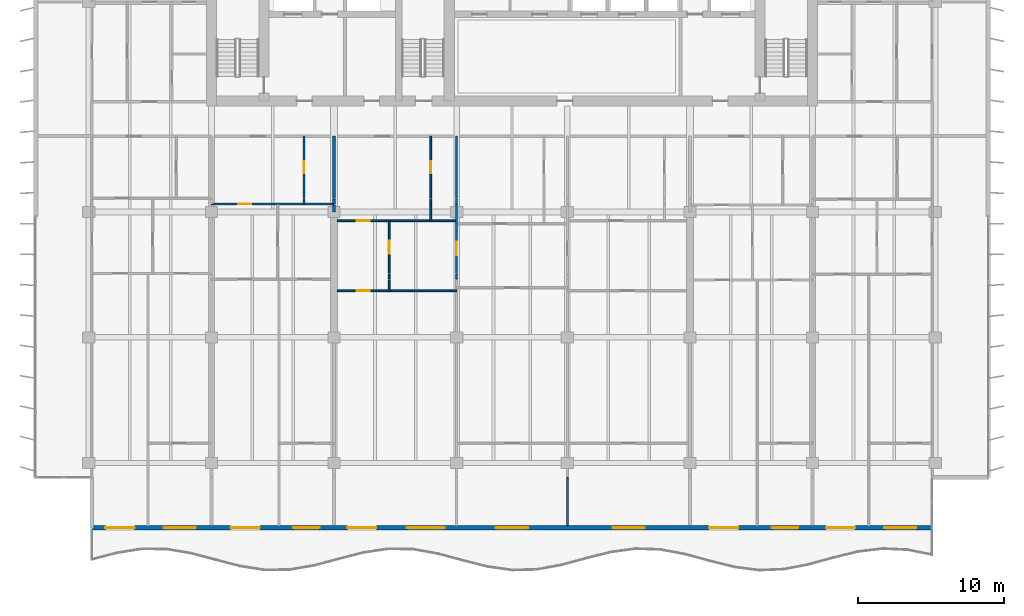
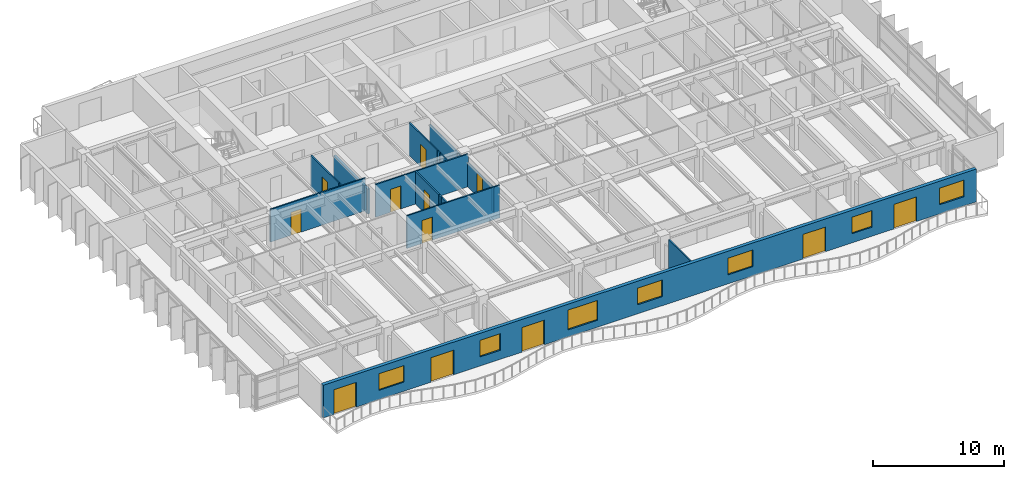
# One storey, part 9 of 18: 20 walls, 12 doors, 7 windows, 19 openings.
"""IFC4 building model written with IfcOpenShell, lengths in metres."""

from ifc_helpers import new_model, si_unit, direction, frame, frame_2d, origin, place, context, subcontext, project, spatial, rectangle, extrude, material, layer, layer_set, type_object, element, fill, save


model = new_model("IFC4")

# Units and contexts
model_context = context("Model", 3, precision=1e-05, world=origin(), true_north=direction((0.0, 1.0)))
body_context = subcontext(model_context, "Body", "Model", "MODEL_VIEW")
ifc_project = project(units=[si_unit("LENGTHUNIT", "METRE"), si_unit("AREAUNIT", "SQUARE_METRE"), si_unit("VOLUMEUNIT", "CUBIC_METRE"), si_unit("PLANEANGLEUNIT", "RADIAN"), si_unit("MASSUNIT", "GRAM", prefix="KILO")], contexts=[model_context])

# Site, building, storey
site_placement = place(None, origin())
site = spatial("IfcSite", under=ifc_project, at=site_placement, CompositionType="ELEMENT")
building_placement = place(site_placement, origin())
building = spatial("IfcBuilding", under=site, at=building_placement, Name="Caelmar Bay Residences", CompositionType="ELEMENT")
storey_placement = place(building_placement, frame((0.0, 0.0, 173.699951171875)))
storey = spatial("IfcBuildingStorey", under=building, at=storey_placement, Name="L48", CompositionType="ELEMENT", Elevation=173.699951171875)

# Wall, openings, doors, windows
ifc_material_1 = material(Name="Precast concrete f'c 40 MPa (6,000 psi)", Category="concrete")
ifc_layer_1 = layer(ifc_material_1, 0.300048828125)
ifc_layer_set_1 = layer_set([ifc_layer_1], Name="Precast concrete f'c 40 MPa (6,000 psi)")
wall_type_1 = type_object("IfcWallType", Name="W-EXT-300", PredefinedType="STANDARD", material=ifc_layer_set_1)
wall_1_placement = place(storey_placement, frame((67.699951171875, 7.75, 0.0), z_axis=(0.0, 0.0, 1.0), x_axis=(-1.0, 0.0, 0.0)))
wall_1 = element("IfcWall", 1, at=wall_1_placement, inside=storey, type_object=wall_type_1, Name="L48 South Bayfront Exterior Wall", PredefinedType="STANDARD", context=body_context, shape_type="SweptSolid", body=[
    extrude(rectangle(XDim=57.599853515625, YDim=0.300048828125, at=frame_2d((28.7998046875, 0.0))), origin(), (0.0, 0.0, 1.0), 3.050048828125),
])
opening_1_placement = place(wall_1_placement, frame((54.673095703125, 0.0, 0.0)))
opening_1 = element("IfcOpeningElement", 2, at=opening_1_placement, cuts=wall_1, Name="Opening L48-BD01", PredefinedType="OPENING", context=body_context, shape_type="SweptSolid", body=[
    extrude(rectangle(XDim=2.0, YDim=2.300048828125, at=frame_2d((1.0, 1.14990234375))), frame((0.0, 0.159912109375, 0.0), z_axis=(0.0, -1.0, 0.0), x_axis=(1.0, 0.0, 0.0)), (0.0, 0.0, 1.0), 0.320068359375),
])
opening_2_placement = place(wall_1_placement, frame((50.472900390625, 0.0, 0.85009765625)))
opening_2 = element("IfcOpeningElement", 3, at=opening_2_placement, cuts=wall_1, Name="Opening WN2", PredefinedType="OPENING", context=body_context, shape_type="SweptSolid", body=[
    extrude(rectangle(XDim=2.199951171875, YDim=1.550048828125, at=frame_2d((1.10009765625, 0.77490234375))), frame((0.0, 0.159912109375, 0.0), z_axis=(0.0, -1.0, 0.0), x_axis=(1.0, 0.0, 0.0)), (0.0, 0.0, 1.0), 0.320068359375),
])
opening_3_placement = place(wall_1_placement, frame((46.090087890625, 0.0, 0.0)))
opening_3 = element("IfcOpeningElement", 4, at=opening_3_placement, cuts=wall_1, Name="Opening L48-BD02", PredefinedType="OPENING", context=body_context, shape_type="SweptSolid", body=[
    extrude(rectangle(XDim=2.0, YDim=2.300048828125, at=frame_2d((1.0, 1.14990234375))), frame((0.0, 0.159912109375, 0.0), z_axis=(0.0, -1.0, 0.0), x_axis=(1.0, 0.0, 0.0)), (0.0, 0.0, 1.0), 0.320068359375),
])
opening_4_placement = place(wall_1_placement, frame((41.989990234375, 0.0, 0.85009765625)))
opening_4 = element("IfcOpeningElement", 5, at=opening_4_placement, cuts=wall_1, Name="Opening WN1", PredefinedType="OPENING", context=body_context, shape_type="SweptSolid", body=[
    extrude(rectangle(XDim=1.800048828125, YDim=1.550048828125, at=frame_2d((0.89990234375, 0.77490234375))), frame((0.0, 0.159912109375, 0.0), z_axis=(0.0, -1.0, 0.0), x_axis=(1.0, 0.0, 0.0)), (0.0, 0.0, 1.0), 0.320068359375),
])
opening_5_placement = place(wall_1_placement, frame((38.090087890625, 0.0, 0.0)))
opening_5 = element("IfcOpeningElement", 6, at=opening_5_placement, cuts=wall_1, Name="Opening L48-BD03", PredefinedType="OPENING", context=body_context, shape_type="SweptSolid", body=[
    extrude(rectangle(XDim=2.0, YDim=2.300048828125, at=frame_2d((1.0, 1.14990234375))), frame((0.0, 0.159912109375, 0.0), z_axis=(0.0, -1.0, 0.0), x_axis=(1.0, 0.0, 0.0)), (0.0, 0.0, 1.0), 0.320068359375),
])
opening_6_placement = place(wall_1_placement, frame((33.409912109375, 0.0, 0.64990234375)))
opening_6 = element("IfcOpeningElement", 7, at=opening_6_placement, cuts=wall_1, Name="Opening WN3", PredefinedType="OPENING", context=body_context, shape_type="SweptSolid", body=[
    extrude(rectangle(XDim=2.60009765625, YDim=1.85009765625, at=frame_2d((1.300048828125, 0.925048828125))), frame((0.0, 0.159912109375, 0.0), z_axis=(0.0, -1.0, 0.0), x_axis=(1.0, 0.0, 0.0)), (0.0, 0.0, 1.0), 0.320068359375),
])
opening_7_placement = place(wall_1_placement, frame((27.699951171875, 0.0, 0.85009765625)))
opening_7 = element("IfcOpeningElement", 8, at=opening_7_placement, cuts=wall_1, Name="Opening WN2", PredefinedType="OPENING", context=body_context, shape_type="SweptSolid", body=[
    extrude(rectangle(XDim=2.199951171875, YDim=1.550048828125, at=frame_2d((1.10009765625, 0.77490234375))), frame((0.0, 0.159912109375, 0.0), z_axis=(0.0, -1.0, 0.0), x_axis=(1.0, 0.0, 0.0)), (0.0, 0.0, 1.0), 0.320068359375),
])
opening_8_placement = place(wall_1_placement, frame((19.699951171875, 0.0, 0.85009765625)))
opening_8 = element("IfcOpeningElement", 9, at=opening_8_placement, cuts=wall_1, Name="Opening WN2", PredefinedType="OPENING", context=body_context, shape_type="SweptSolid", body=[
    extrude(rectangle(XDim=2.199951171875, YDim=1.550048828125, at=frame_2d((1.10009765625, 0.77490234375))), frame((0.0, 0.159912109375, 0.0), z_axis=(0.0, -1.0, 0.0), x_axis=(1.0, 0.0, 0.0)), (0.0, 0.0, 1.0), 0.320068359375),
])
opening_9_placement = place(wall_1_placement, frame((13.2900390625, 0.0, 0.0)))
opening_9 = element("IfcOpeningElement", 10, at=opening_9_placement, cuts=wall_1, Name="Opening L48-BD04", PredefinedType="OPENING", context=body_context, shape_type="SweptSolid", body=[
    extrude(rectangle(XDim=2.0, YDim=2.300048828125, at=frame_2d((1.0, 1.14990234375))), frame((0.0, 0.159912109375, 0.0), z_axis=(0.0, -1.0, 0.0), x_axis=(1.0, 0.0, 0.0)), (0.0, 0.0, 1.0), 0.320068359375),
])
opening_10_placement = place(wall_1_placement, frame((9.18994140625, 0.0, 0.85009765625)))
opening_10 = element("IfcOpeningElement", 11, at=opening_10_placement, cuts=wall_1, Name="Opening WN1", PredefinedType="OPENING", context=body_context, shape_type="SweptSolid", body=[
    extrude(rectangle(XDim=1.800048828125, YDim=1.550048828125, at=frame_2d((0.89990234375, 0.77490234375))), frame((0.0, 0.159912109375, 0.0), z_axis=(0.0, -1.0, 0.0), x_axis=(1.0, 0.0, 0.0)), (0.0, 0.0, 1.0), 0.320068359375),
])
opening_11_placement = place(wall_1_placement, frame((5.27294921875, 0.0, 0.0)))
opening_11 = element("IfcOpeningElement", 12, at=opening_11_placement, cuts=wall_1, Name="Opening L48-BD05", PredefinedType="OPENING", context=body_context, shape_type="SweptSolid", body=[
    extrude(rectangle(XDim=2.0, YDim=2.300048828125, at=frame_2d((1.0, 1.14990234375))), frame((0.0, 0.159912109375, 0.0), z_axis=(0.0, -1.0, 0.0), x_axis=(1.0, 0.0, 0.0)), (0.0, 0.0, 1.0), 0.320068359375),
])
opening_12_placement = place(wall_1_placement, frame((1.072998046875, 0.0, 0.85009765625)))
opening_12 = element("IfcOpeningElement", 13, at=opening_12_placement, cuts=wall_1, Name="Opening WN2", PredefinedType="OPENING", context=body_context, shape_type="SweptSolid", body=[
    extrude(rectangle(XDim=2.199951171875, YDim=1.550048828125, at=frame_2d((1.10009765625, 0.77490234375))), frame((0.0, 0.159912109375, 0.0), z_axis=(0.0, -1.0, 0.0), x_axis=(1.0, 0.0, 0.0)), (0.0, 0.0, 1.0), 0.320068359375),
])
ifc_material_2 = material(Name="Anodised bronze thermally broken sliding glass door", Category="glass")
ifc_layer_2 = layer(ifc_material_2, 0.050048828125)
ifc_layer_set_2 = layer_set([ifc_layer_2], Name="Anodised bronze thermally broken sliding glass door")
door_type_1 = type_object("IfcDoorType", Name="D-BAL-2000", OperationType="DOUBLE_DOOR_SLIDING", PredefinedType="DOOR", material=ifc_layer_set_2)
door_1_placement = place(opening_1_placement, origin())
door_1 = element("IfcDoor", 14, at=door_1_placement, inside=storey, type_object=door_type_1, Name="L48 Residence 01 Living Room Balcony Door", OperationType="DOUBLE_DOOR_SLIDING", OverallHeight=2.300048828125, OverallWidth=2.0, PredefinedType="DOOR", context=body_context, shape_type="SweptSolid", body=[
    extrude(rectangle(XDim=2.0, YDim=2.300048828125, at=frame_2d((1.0, 1.14990234375))), frame((0.0, 0.02490234375, 0.0), z_axis=(0.0, -1.0, 0.0), x_axis=(1.0, 0.0, 0.0)), (0.0, 0.0, 1.0), 0.050048828125),
])
fill(opening_1, door_1)
door_2_placement = place(opening_3_placement, origin())
door_2 = element("IfcDoor", 15, at=door_2_placement, inside=storey, type_object=door_type_1, Name="L48 Residence 02 Penthouse Living Salon Balcony Door", OperationType="DOUBLE_DOOR_SLIDING", OverallHeight=2.300048828125, OverallWidth=2.0, PredefinedType="DOOR", context=body_context, shape_type="SweptSolid", body=[
    extrude(rectangle(XDim=2.0, YDim=2.300048828125, at=frame_2d((1.0, 1.14990234375))), frame((0.0, 0.02490234375, 0.0), z_axis=(0.0, -1.0, 0.0), x_axis=(1.0, 0.0, 0.0)), (0.0, 0.0, 1.0), 0.050048828125),
])
fill(opening_3, door_2)
door_3_placement = place(opening_5_placement, origin())
door_3 = element("IfcDoor", 16, at=door_3_placement, inside=storey, type_object=door_type_1, Name="L48 Residence 03 Penthouse Living Salon Balcony Door", OperationType="DOUBLE_DOOR_SLIDING", OverallHeight=2.300048828125, OverallWidth=2.0, PredefinedType="DOOR", context=body_context, shape_type="SweptSolid", body=[
    extrude(rectangle(XDim=2.0, YDim=2.300048828125, at=frame_2d((1.0, 1.14990234375))), frame((0.0, 0.02490234375, 0.0), z_axis=(0.0, -1.0, 0.0), x_axis=(1.0, 0.0, 0.0)), (0.0, 0.0, 1.0), 0.050048828125),
])
fill(opening_5, door_3)
door_4_placement = place(opening_9_placement, origin())
door_4 = element("IfcDoor", 17, at=door_4_placement, inside=storey, type_object=door_type_1, Name="L48 Residence 04 Penthouse Living Salon Balcony Door", OperationType="DOUBLE_DOOR_SLIDING", OverallHeight=2.300048828125, OverallWidth=2.0, PredefinedType="DOOR", context=body_context, shape_type="SweptSolid", body=[
    extrude(rectangle(XDim=2.0, YDim=2.300048828125, at=frame_2d((1.0, 1.14990234375))), frame((0.0, 0.02490234375, 0.0), z_axis=(0.0, -1.0, 0.0), x_axis=(1.0, 0.0, 0.0)), (0.0, 0.0, 1.0), 0.050048828125),
])
fill(opening_9, door_4)
door_5_placement = place(opening_11_placement, origin())
door_5 = element("IfcDoor", 18, at=door_5_placement, inside=storey, type_object=door_type_1, Name="L48 Residence 05 Living Room Balcony Door", OperationType="DOUBLE_DOOR_SLIDING", OverallHeight=2.300048828125, OverallWidth=2.0, PredefinedType="DOOR", context=body_context, shape_type="SweptSolid", body=[
    extrude(rectangle(XDim=2.0, YDim=2.300048828125, at=frame_2d((1.0, 1.14990234375))), frame((0.0, 0.02490234375, 0.0), z_axis=(0.0, -1.0, 0.0), x_axis=(1.0, 0.0, 0.0)), (0.0, 0.0, 1.0), 0.050048828125),
])
fill(opening_11, door_5)
ifc_material_3 = material(Name="Bronze aluminium frame with laminated low-E glass", Category="aluminium")
ifc_layer_3 = layer(ifc_material_3, 0.06005859375)
ifc_layer_set_3 = layer_set([ifc_layer_3], Name="Bronze aluminium frame with laminated low-E glass")
window_type_1 = type_object("IfcWindowType", Name="WIN-BR-1800", PartitioningType="SINGLE_PANEL", PredefinedType="WINDOW", material=ifc_layer_set_3)
window_1_placement = place(opening_4_placement, origin())
window_1 = element("IfcWindow", 19, at=window_1_placement, inside=storey, type_object=window_type_1, Name="L48 Residence 02 Primary Bedroom Window", OverallHeight=1.550048828125, OverallWidth=1.800048828125, PartitioningType="SINGLE_PANEL", PredefinedType="WINDOW", context=body_context, shape_type="SweptSolid", body=[
    extrude(rectangle(XDim=1.800048828125, YDim=1.550048828125, at=frame_2d((0.89990234375, 0.77490234375))), frame((0.0, 0.030029296875, 0.0), z_axis=(0.0, -1.0, 0.0), x_axis=(1.0, 0.0, 0.0)), (0.0, 0.0, 1.0), 0.06005859375),
])
fill(opening_4, window_1)
window_2_placement = place(opening_10_placement, origin())
window_2 = element("IfcWindow", 20, at=window_2_placement, inside=storey, type_object=window_type_1, Name="L48 Residence 04 Primary Bedroom Window", OverallHeight=1.550048828125, OverallWidth=1.800048828125, PartitioningType="SINGLE_PANEL", PredefinedType="WINDOW", context=body_context, shape_type="SweptSolid", body=[
    extrude(rectangle(XDim=1.800048828125, YDim=1.550048828125, at=frame_2d((0.89990234375, 0.77490234375))), frame((0.0, 0.030029296875, 0.0), z_axis=(0.0, -1.0, 0.0), x_axis=(1.0, 0.0, 0.0)), (0.0, 0.0, 1.0), 0.06005859375),
])
fill(opening_10, window_2)
ifc_layer_4 = layer(ifc_material_3, 0.06005859375)
ifc_layer_set_4 = layer_set([ifc_layer_4], Name="Bronze aluminium frame with laminated low-E glass")
window_type_2 = type_object("IfcWindowType", Name="WIN-BR-2200", PartitioningType="SINGLE_PANEL", PredefinedType="WINDOW", material=ifc_layer_set_4)
window_3_placement = place(opening_2_placement, origin())
window_3 = element("IfcWindow", 21, at=window_3_placement, inside=storey, type_object=window_type_2, Name="L48 Residence 01 Primary Bedroom Window", OverallHeight=1.550048828125, OverallWidth=2.199951171875, PartitioningType="SINGLE_PANEL", PredefinedType="WINDOW", context=body_context, shape_type="SweptSolid", body=[
    extrude(rectangle(XDim=2.199951171875, YDim=1.550048828125, at=frame_2d((1.10009765625, 0.77490234375))), frame((0.0, 0.030029296875, 0.0), z_axis=(0.0, -1.0, 0.0), x_axis=(1.0, 0.0, 0.0)), (0.0, 0.0, 1.0), 0.06005859375),
])
fill(opening_2, window_3)
window_4_placement = place(opening_7_placement, origin())
window_4 = element("IfcWindow", 22, at=window_4_placement, inside=storey, type_object=window_type_2, Name="L48 Residence 03 Primary Bedroom 1 Window", OverallHeight=1.550048828125, OverallWidth=2.199951171875, PartitioningType="SINGLE_PANEL", PredefinedType="WINDOW", context=body_context, shape_type="SweptSolid", body=[
    extrude(rectangle(XDim=2.199951171875, YDim=1.550048828125, at=frame_2d((1.10009765625, 0.77490234375))), frame((0.0, 0.030029296875, 0.0), z_axis=(0.0, -1.0, 0.0), x_axis=(1.0, 0.0, 0.0)), (0.0, 0.0, 1.0), 0.06005859375),
])
fill(opening_7, window_4)
window_5_placement = place(opening_8_placement, origin())
window_5 = element("IfcWindow", 23, at=window_5_placement, inside=storey, type_object=window_type_2, Name="L48 Residence 03 Primary Bedroom 2 Window", OverallHeight=1.550048828125, OverallWidth=2.199951171875, PartitioningType="SINGLE_PANEL", PredefinedType="WINDOW", context=body_context, shape_type="SweptSolid", body=[
    extrude(rectangle(XDim=2.199951171875, YDim=1.550048828125, at=frame_2d((1.10009765625, 0.77490234375))), frame((0.0, 0.030029296875, 0.0), z_axis=(0.0, -1.0, 0.0), x_axis=(1.0, 0.0, 0.0)), (0.0, 0.0, 1.0), 0.06005859375),
])
fill(opening_8, window_5)
window_6_placement = place(opening_12_placement, origin())
window_6 = element("IfcWindow", 24, at=window_6_placement, inside=storey, type_object=window_type_2, Name="L48 Residence 05 Primary Bedroom Window", OverallHeight=1.550048828125, OverallWidth=2.199951171875, PartitioningType="SINGLE_PANEL", PredefinedType="WINDOW", context=body_context, shape_type="SweptSolid", body=[
    extrude(rectangle(XDim=2.199951171875, YDim=1.550048828125, at=frame_2d((1.10009765625, 0.77490234375))), frame((0.0, 0.030029296875, 0.0), z_axis=(0.0, -1.0, 0.0), x_axis=(1.0, 0.0, 0.0)), (0.0, 0.0, 1.0), 0.06005859375),
])
fill(opening_12, window_6)
ifc_layer_5 = layer(ifc_material_3, 0.06005859375)
ifc_layer_set_5 = layer_set([ifc_layer_5], Name="Bronze aluminium frame with laminated low-E glass")
window_type_3 = type_object("IfcWindowType", Name="WIN-LIV-2600", PartitioningType="SINGLE_PANEL", PredefinedType="WINDOW", material=ifc_layer_set_5)
window_7_placement = place(opening_6_placement, origin())
window_7 = element("IfcWindow", 25, at=window_7_placement, inside=storey, type_object=window_type_3, Name="L48 Residence 03 Penthouse Living Salon Panoramic Window", OverallHeight=1.85009765625, OverallWidth=2.60009765625, PartitioningType="SINGLE_PANEL", PredefinedType="WINDOW", context=body_context, shape_type="SweptSolid", body=[
    extrude(rectangle(XDim=2.60009765625, YDim=1.85009765625, at=frame_2d((1.300048828125, 0.925048828125))), frame((0.0, 0.030029296875, 0.0), z_axis=(0.0, -1.0, 0.0), x_axis=(1.0, 0.0, 0.0)), (0.0, 0.0, 1.0), 0.06005859375),
])
fill(opening_6, window_7)

# Wall
ifc_material_4 = material(Name="Acoustic metal-stud gypsum partition 120 mm")
ifc_layer_6 = layer(ifc_material_4, 0.1201171875)
ifc_layer_set_6 = layer_set([ifc_layer_6], Name="Acoustic metal-stud gypsum partition 120 mm")
wall_type_2 = type_object("IfcWallType", Name="W-PRT-120", PredefinedType="PARTITIONING", material=ifc_layer_set_6)
wall_2_placement = place(storey_placement, frame((24.639892578125, 29.93994140625, 0.0), z_axis=(0.0, 0.0, 1.0), x_axis=(0.0, 1.0, 0.0)))
element("IfcWall", 26, at=wall_2_placement, inside=storey, type_object=wall_type_2, Name="L48 Partition Wall V028", PredefinedType="PARTITIONING", context=body_context, shape_type="SweptSolid", body=[
    extrude(rectangle(XDim=0.340087890625, YDim=0.1201171875, at=frame_2d((0.169921875, 0.0))), origin(), (0.0, 0.0, 1.0), 3.050048828125),
])

# Wall, opening, door
wall_3_placement = place(storey_placement, frame((24.639892578125, 30.340087890625, 0.0), z_axis=(0.0, 0.0, 1.0), x_axis=(0.0, 1.0, 0.0)))
wall_3 = element("IfcWall", 27, at=wall_3_placement, inside=storey, type_object=wall_type_2, Name="L48 Partition Wall V029", PredefinedType="PARTITIONING", context=body_context, shape_type="SweptSolid", body=[
    extrude(rectangle(XDim=4.260009765625, YDim=0.1201171875, at=frame_2d((2.1298828125, 0.0))), origin(), (0.0, 0.0, 1.0), 3.050048828125),
])
opening_13_placement = place(wall_3_placement, frame((1.705078125, 0.0, 0.0)))
opening_13 = element("IfcOpeningElement", 28, at=opening_13_placement, cuts=wall_3, Name="Opening D-L48-128", PredefinedType="OPENING", context=body_context, shape_type="SweptSolid", body=[
    extrude(rectangle(XDim=0.85009765625, YDim=2.10009765625, at=frame_2d((0.425048828125, 1.050048828125))), frame((0.0, 0.070068359375, 0.0), z_axis=(0.0, -1.0, 0.0), x_axis=(1.0, 0.0, 0.0)), (0.0, 0.0, 1.0), 0.14013671875),
])
ifc_material_5 = material(Name="Solid walnut timber interior door leaf and frame", Category="wood")
ifc_layer_7 = layer(ifc_material_5, 0.050048828125)
ifc_layer_set_7 = layer_set([ifc_layer_7], Name="Solid walnut timber interior door leaf and frame")
door_type_2 = type_object("IfcDoorType", Name="D-BATH-850", OperationType="NOTDEFINED", PredefinedType="DOOR", material=ifc_layer_set_7)
door_6_placement = place(opening_13_placement, origin())
door_6 = element("IfcDoor", 29, at=door_6_placement, inside=storey, type_object=door_type_2, Name="L48 Residence 02 Bathroom Door", OperationType="SINGLE_SWING_LEFT", OverallHeight=2.10009765625, OverallWidth=0.85009765625, PredefinedType="DOOR", context=body_context, shape_type="SweptSolid", body=[
    extrude(rectangle(XDim=0.85009765625, YDim=2.10009765625, at=frame_2d((0.425048828125, 1.050048828125))), frame((0.0, 0.02490234375, 0.0), z_axis=(0.0, -1.0, 0.0), x_axis=(1.0, 0.0, 0.0)), (0.0, 0.0, 1.0), 0.050048828125),
])
fill(opening_13, door_6)

# Walls
wall_4_placement = place(storey_placement, frame((30.47998046875, 24.0, 0.0), z_axis=(0.0, 0.0, 1.0), x_axis=(0.0, 1.0, 0.0)))
element("IfcWall", 30, at=wall_4_placement, inside=storey, type_object=wall_type_2, Name="L48 Partition Wall V038", PredefinedType="PARTITIONING", context=body_context, shape_type="SweptSolid", body=[
    extrude(rectangle(XDim=0.72998046875, YDim=0.1201171875, at=frame_2d((0.364990234375, 0.0))), origin(), (0.0, 0.0, 1.0), 3.050048828125),
])
wall_5_placement = place(storey_placement, frame((30.47998046875, 24.7900390625, 0.0), z_axis=(0.0, 0.0, 1.0), x_axis=(0.0, 1.0, 0.0)))
element("IfcWall", 31, at=wall_5_placement, inside=storey, type_object=wall_type_2, Name="L48 Partition Wall V039", PredefinedType="PARTITIONING", context=body_context, shape_type="SweptSolid", body=[
    extrude(rectangle(XDim=0.33984375, YDim=0.1201171875, at=frame_2d((0.169921875, 0.0))), origin(), (0.0, 0.0, 1.0), 3.050048828125),
])

# Wall, opening, door
wall_6_placement = place(storey_placement, frame((30.47998046875, 25.18994140625, 0.0), z_axis=(0.0, 0.0, 1.0), x_axis=(0.0, 1.0, 0.0)))
wall_6 = element("IfcWall", 32, at=wall_6_placement, inside=storey, type_object=wall_type_2, Name="L48 Partition Wall V040", PredefinedType="PARTITIONING", context=body_context, shape_type="SweptSolid", body=[
    extrude(rectangle(XDim=3.610107421875, YDim=0.1201171875, at=frame_2d((1.80517578125, 0.0))), origin(), (0.0, 0.0, 1.0), 3.050048828125),
])
opening_14_placement = place(wall_6_placement, frame((1.35498046875, 0.0, 0.0)))
opening_14 = element("IfcOpeningElement", 33, at=opening_14_placement, cuts=wall_6, Name="Opening D-L48-137", PredefinedType="OPENING", context=body_context, shape_type="SweptSolid", body=[
    extrude(rectangle(XDim=0.89990234375, YDim=2.14990234375, at=frame_2d((0.449951171875, 1.074951171875))), frame((0.0, 0.070068359375, 0.0), z_axis=(0.0, -1.0, 0.0), x_axis=(1.0, 0.0, 0.0)), (0.0, 0.0, 1.0), 0.14013671875),
])
ifc_layer_8 = layer(ifc_material_5, 0.050048828125)
ifc_layer_set_8 = layer_set([ifc_layer_8], Name="Solid walnut timber interior door leaf and frame")
door_type_3 = type_object("IfcDoorType", Name="D-ROOM-900", OperationType="NOTDEFINED", PredefinedType="DOOR", material=ifc_layer_set_8)
door_7_placement = place(opening_14_placement, origin())
door_7 = element("IfcDoor", 34, at=door_7_placement, inside=storey, type_object=door_type_3, Name="L48 Residence 03 Kitchen Door", OperationType="SINGLE_SWING_RIGHT", OverallHeight=2.14990234375, OverallWidth=0.89990234375, PredefinedType="DOOR", context=body_context, shape_type="SweptSolid", body=[
    extrude(rectangle(XDim=0.89990234375, YDim=2.14990234375, at=frame_2d((0.449951171875, 1.074951171875))), frame((0.0, 0.02490234375, 0.0), z_axis=(0.0, -1.0, 0.0), x_axis=(1.0, 0.0, 0.0)), (0.0, 0.0, 1.0), 0.050048828125),
])
fill(opening_14, door_7)

# Walls
wall_7_placement = place(storey_placement, frame((33.323974609375, 28.800048828125, 0.0), z_axis=(0.0, 0.0, 1.0), x_axis=(0.0, 1.0, 0.0)))
element("IfcWall", 35, at=wall_7_placement, inside=storey, type_object=wall_type_2, Name="L48 Partition Wall V041", PredefinedType="PARTITIONING", context=body_context, shape_type="SweptSolid", body=[
    extrude(rectangle(XDim=1.079833984375, YDim=0.1201171875, at=frame_2d((0.5400390625, 0.0))), origin(), (0.0, 0.0, 1.0), 3.050048828125),
])
wall_8_placement = place(storey_placement, frame((33.323974609375, 29.93994140625, 0.0), z_axis=(0.0, 0.0, 1.0), x_axis=(0.0, 1.0, 0.0)))
element("IfcWall", 36, at=wall_8_placement, inside=storey, type_object=wall_type_2, Name="L48 Partition Wall V042", PredefinedType="PARTITIONING", context=body_context, shape_type="SweptSolid", body=[
    extrude(rectangle(XDim=0.340087890625, YDim=0.1201171875, at=frame_2d((0.169921875, 0.0))), origin(), (0.0, 0.0, 1.0), 3.050048828125),
])

# Wall, opening, door
wall_9_placement = place(storey_placement, frame((33.323974609375, 30.340087890625, 0.0), z_axis=(0.0, 0.0, 1.0), x_axis=(0.0, 1.0, 0.0)))
wall_9 = element("IfcWall", 37, at=wall_9_placement, inside=storey, type_object=wall_type_2, Name="L48 Partition Wall V043", PredefinedType="PARTITIONING", context=body_context, shape_type="SweptSolid", body=[
    extrude(rectangle(XDim=4.260009765625, YDim=0.1201171875, at=frame_2d((2.1298828125, 0.0))), origin(), (0.0, 0.0, 1.0), 3.050048828125),
])
opening_15_placement = place(wall_9_placement, frame((1.705078125, 0.0, 0.0)))
opening_15 = element("IfcOpeningElement", 38, at=opening_15_placement, cuts=wall_9, Name="Opening D-L48-135", PredefinedType="OPENING", context=body_context, shape_type="SweptSolid", body=[
    extrude(rectangle(XDim=0.85009765625, YDim=2.10009765625, at=frame_2d((0.425048828125, 1.050048828125))), frame((0.0, 0.070068359375, 0.0), z_axis=(0.0, -1.0, 0.0), x_axis=(1.0, 0.0, 0.0)), (0.0, 0.0, 1.0), 0.14013671875),
])
door_8_placement = place(opening_15_placement, origin())
door_8 = element("IfcDoor", 39, at=door_8_placement, inside=storey, type_object=door_type_2, Name="L48 Residence 03 Guest Bathroom Door", OperationType="SINGLE_SWING_RIGHT", OverallHeight=2.10009765625, OverallWidth=0.85009765625, PredefinedType="DOOR", context=body_context, shape_type="SweptSolid", body=[
    extrude(rectangle(XDim=0.85009765625, YDim=2.10009765625, at=frame_2d((0.425048828125, 1.050048828125))), frame((0.0, 0.02490234375, 0.0), z_axis=(0.0, -1.0, 0.0), x_axis=(1.0, 0.0, 0.0)), (0.0, 0.0, 1.0), 0.050048828125),
])
fill(opening_15, door_8)

# Wall
wall_10_placement = place(storey_placement, frame((35.10009765625, 24.7900390625, 0.0), z_axis=(0.0, 0.0, 1.0), x_axis=(0.0, 1.0, 0.0)))
element("IfcWall", 40, at=wall_10_placement, inside=storey, type_object=wall_type_2, Name="L48 Partition Wall V046", PredefinedType="PARTITIONING", context=body_context, shape_type="SweptSolid", body=[
    extrude(rectangle(XDim=0.33984375, YDim=0.1201171875, at=frame_2d((0.169921875, 0.0))), origin(), (0.0, 0.0, 1.0), 2.262939453125),
])

# Wall, opening, door
wall_11_placement = place(storey_placement, frame((35.10009765625, 25.18994140625, 0.0), z_axis=(0.0, 0.0, 1.0), x_axis=(0.0, 1.0, 0.0)))
wall_11 = element("IfcWall", 41, at=wall_11_placement, inside=storey, type_object=wall_type_2, Name="L48 Partition Wall V047", PredefinedType="PARTITIONING", context=body_context, shape_type="SweptSolid", body=[
    extrude(rectangle(XDim=4.68994140625, YDim=0.1201171875, at=frame_2d((2.344970703125, 0.0))), origin(), (0.0, 0.0, 1.0), 2.262939453125),
])
opening_16_placement = place(wall_11_placement, frame((1.2548828125, 0.0, 0.0)))
opening_16 = element("IfcOpeningElement", 42, at=opening_16_placement, cuts=wall_11, Name="Opening D-L48-139", PredefinedType="OPENING", context=body_context, shape_type="SweptSolid", body=[
    extrude(rectangle(XDim=0.89990234375, YDim=2.14990234375, at=frame_2d((0.449951171875, 1.074951171875))), frame((0.0, 0.070068359375, 0.0), z_axis=(0.0, -1.0, 0.0), x_axis=(1.0, 0.0, 0.0)), (0.0, 0.0, 1.0), 0.14013671875),
])
door_9_placement = place(opening_16_placement, origin())
door_9 = element("IfcDoor", 43, at=door_9_placement, inside=storey, type_object=door_type_3, Name="L48 Residence 03 Formal Dining Room 1 Door", OperationType="SINGLE_SWING_RIGHT", OverallHeight=2.14990234375, OverallWidth=0.89990234375, PredefinedType="DOOR", context=body_context, shape_type="SweptSolid", body=[
    extrude(rectangle(XDim=0.89990234375, YDim=2.14990234375, at=frame_2d((0.449951171875, 1.074951171875))), frame((0.0, 0.02490234375, 0.0), z_axis=(0.0, -1.0, 0.0), x_axis=(1.0, 0.0, 0.0)), (0.0, 0.0, 1.0), 0.050048828125),
])
fill(opening_16, door_9)

# Walls
wall_12_placement = place(storey_placement, frame((35.10009765625, 29.93994140625, 0.0), z_axis=(0.0, 0.0, 1.0), x_axis=(0.0, 1.0, 0.0)))
element("IfcWall", 44, at=wall_12_placement, inside=storey, type_object=wall_type_2, Name="L48 Partition Wall V048", PredefinedType="PARTITIONING", context=body_context, shape_type="SweptSolid", body=[
    extrude(rectangle(XDim=0.340087890625, YDim=0.1201171875, at=frame_2d((0.169921875, 0.0))), origin(), (0.0, 0.0, 1.0), 2.262939453125),
])
wall_13_placement = place(storey_placement, frame((35.10009765625, 30.340087890625, 0.0), z_axis=(0.0, 0.0, 1.0), x_axis=(0.0, 1.0, 0.0)))
element("IfcWall", 45, at=wall_13_placement, inside=storey, type_object=wall_type_2, Name="L48 Partition Wall V049", PredefinedType="PARTITIONING", context=body_context, shape_type="SweptSolid", body=[
    extrude(rectangle(XDim=4.260009765625, YDim=0.1201171875, at=frame_2d((2.1298828125, 0.0))), origin(), (0.0, 0.0, 1.0), 2.262939453125),
])
wall_14_placement = place(storey_placement, frame((42.699951171875, 7.89501953125, 0.0), z_axis=(0.0, 0.0, 1.0), x_axis=(0.0, 1.0, 0.0)))
element("IfcWall", 46, at=wall_14_placement, inside=storey, type_object=wall_type_2, Name="L48 Partition Wall V055", PredefinedType="PARTITIONING", context=body_context, shape_type="SweptSolid", body=[
    extrude(rectangle(XDim=3.304931640625, YDim=0.1201171875, at=frame_2d((1.65234375, 0.0))), origin(), (0.0, 0.0, 1.0), 3.050048828125),
])

# Wall, opening, door
wall_15_placement = place(storey_placement, frame((26.919921875, 24.0, 0.0), z_axis=(0.0, 0.0, 1.0), x_axis=(1.0, 0.0, 0.0)))
wall_15 = element("IfcWall", 47, at=wall_15_placement, inside=storey, type_object=wall_type_2, Name="L48 Partition Wall H110", PredefinedType="PARTITIONING", context=body_context, shape_type="SweptSolid", body=[
    extrude(rectangle(XDim=8.18017578125, YDim=0.1201171875, at=frame_2d((4.090087890625, 0.0))), origin(), (0.0, 0.0, 1.0), 3.050048828125),
])
opening_17_placement = place(wall_15_placement, frame((1.330078125, 0.0, 0.0)))
opening_17 = element("IfcOpeningElement", 48, at=opening_17_placement, cuts=wall_15, Name="Opening D-L48-138", PredefinedType="OPENING", context=body_context, shape_type="SweptSolid", body=[
    extrude(rectangle(XDim=0.89990234375, YDim=2.14990234375, at=frame_2d((0.449951171875, 1.074951171875))), frame((0.0, 0.070068359375, 0.0), z_axis=(0.0, -1.0, 0.0), x_axis=(1.0, 0.0, 0.0)), (0.0, 0.0, 1.0), 0.14013671875),
])
door_10_placement = place(opening_17_placement, origin())
door_10 = element("IfcDoor", 49, at=door_10_placement, inside=storey, type_object=door_type_3, Name="L48 Residence 03 Penthouse Living Salon Door", OperationType="SINGLE_SWING_LEFT", OverallHeight=2.14990234375, OverallWidth=0.89990234375, PredefinedType="DOOR", context=body_context, shape_type="SweptSolid", body=[
    extrude(rectangle(XDim=0.89990234375, YDim=2.14990234375, at=frame_2d((0.449951171875, 1.074951171875))), frame((0.0, 0.02490234375, 0.0), z_axis=(0.0, -1.0, 0.0), x_axis=(1.0, 0.0, 0.0)), (0.0, 0.0, 1.0), 0.050048828125),
])
fill(opening_17, door_10)

wall_16_placement = place(storey_placement, frame((26.919921875, 28.800048828125, 0.0), z_axis=(0.0, 0.0, 1.0), x_axis=(1.0, 0.0, 0.0)))
wall_16 = element("IfcWall", 50, at=wall_16_placement, inside=storey, type_object=wall_type_2, Name="L48 Partition Wall H119", PredefinedType="PARTITIONING", context=body_context, shape_type="SweptSolid", body=[
    extrude(rectangle(XDim=8.175048828125, YDim=0.1201171875, at=frame_2d((4.08740234375, 0.0))), origin(), (0.0, 0.0, 1.0), 3.050048828125),
])
opening_18_placement = place(wall_16_placement, frame((1.330078125, 0.0, 0.0)))
opening_18 = element("IfcOpeningElement", 51, at=opening_18_placement, cuts=wall_16, Name="Opening D-L48-136", PredefinedType="OPENING", context=body_context, shape_type="SweptSolid", body=[
    extrude(rectangle(XDim=0.89990234375, YDim=2.14990234375, at=frame_2d((0.449951171875, 1.074951171875))), frame((0.0, 0.070068359375, 0.0), z_axis=(0.0, -1.0, 0.0), x_axis=(1.0, 0.0, 0.0)), (0.0, 0.0, 1.0), 0.14013671875),
])
door_11_placement = place(opening_18_placement, origin())
door_11 = element("IfcDoor", 52, at=door_11_placement, inside=storey, type_object=door_type_3, Name="L48 Residence 03 Dining Room Door", OperationType="SINGLE_SWING_LEFT", OverallHeight=2.14990234375, OverallWidth=0.89990234375, PredefinedType="DOOR", context=body_context, shape_type="SweptSolid", body=[
    extrude(rectangle(XDim=0.89990234375, YDim=2.14990234375, at=frame_2d((0.449951171875, 1.074951171875))), frame((0.0, 0.02490234375, 0.0), z_axis=(0.0, -1.0, 0.0), x_axis=(1.0, 0.0, 0.0)), (0.0, 0.0, 1.0), 0.050048828125),
])
fill(opening_18, door_11)

wall_17_placement = place(storey_placement, frame((18.300048828125, 29.93994140625, 0.0), z_axis=(0.0, 0.0, 1.0), x_axis=(1.0, 0.0, 0.0)))
wall_17 = element("IfcWall", 53, at=wall_17_placement, inside=storey, type_object=wall_type_2, Name="L48 Partition Wall H122", PredefinedType="PARTITIONING", context=body_context, shape_type="SweptSolid", body=[
    extrude(rectangle(XDim=8.39990234375, YDim=0.1201171875, at=frame_2d((4.199951171875, 0.0))), origin(), (0.0, 0.0, 1.0), 3.050048828125),
])
opening_19_placement = place(wall_17_placement, frame((1.818115234375, 0.0, 0.0)))
opening_19 = element("IfcOpeningElement", 54, at=opening_19_placement, cuts=wall_17, Name="Opening D-L48-129", PredefinedType="OPENING", context=body_context, shape_type="SweptSolid", body=[
    extrude(rectangle(XDim=0.89990234375, YDim=2.14990234375, at=frame_2d((0.449951171875, 1.074951171875))), frame((0.0, 0.070068359375, 0.0), z_axis=(0.0, -1.0, 0.0), x_axis=(1.0, 0.0, 0.0)), (0.0, 0.0, 1.0), 0.14013671875),
])
door_12_placement = place(opening_19_placement, origin())
door_12 = element("IfcDoor", 55, at=door_12_placement, inside=storey, type_object=door_type_3, Name="L48 Residence 02 Kitchen Door", OperationType="SINGLE_SWING_RIGHT", OverallHeight=2.14990234375, OverallWidth=0.89990234375, PredefinedType="DOOR", context=body_context, shape_type="SweptSolid", body=[
    extrude(rectangle(XDim=0.89990234375, YDim=2.14990234375, at=frame_2d((0.449951171875, 1.074951171875))), frame((0.0, 0.02490234375, 0.0), z_axis=(0.0, -1.0, 0.0), x_axis=(1.0, 0.0, 0.0)), (0.0, 0.0, 1.0), 0.050048828125),
])
fill(opening_19, door_12)

# Walls
ifc_material_6 = material(Name="Acoustic twin-stud fire-rated inter-tenancy partition 200 mm")
ifc_layer_9 = layer(ifc_material_6, 0.199951171875)
ifc_layer_set_9 = layer_set([ifc_layer_9], Name="Acoustic twin-stud fire-rated inter-tenancy partition 200 mm")
wall_type_3 = type_object("IfcWallType", Name="W-PTY-200", PredefinedType="PARTITIONING", material=ifc_layer_set_9)
wall_18_placement = place(storey_placement, frame((26.699951171875, 29.405029296875, 0.0), z_axis=(0.0, 0.0, 1.0), x_axis=(0.0, 1.0, 0.0)))
element("IfcWall", 56, at=wall_18_placement, inside=storey, type_object=wall_type_3, Name="L48 Partition Wall V033", PredefinedType="PARTITIONING", context=body_context, shape_type="SweptSolid", body=[
    extrude(rectangle(XDim=0.474853515625, YDim=0.199951171875, at=frame_2d((0.2373046875, 0.0))), origin(), (0.0, 0.0, 1.0), 2.3349609375),
])
wall_19_placement = place(storey_placement, frame((26.699951171875, 29.93994140625, 0.0), z_axis=(0.0, 0.0, 1.0), x_axis=(0.0, 1.0, 0.0)))
element("IfcWall", 57, at=wall_19_placement, inside=storey, type_object=wall_type_3, Name="L48 Partition Wall V034", PredefinedType="PARTITIONING", context=body_context, shape_type="SweptSolid", body=[
    extrude(rectangle(XDim=0.340087890625, YDim=0.199951171875, at=frame_2d((0.169921875, 0.0))), origin(), (0.0, 0.0, 1.0), 2.3349609375),
])
wall_20_placement = place(storey_placement, frame((26.699951171875, 30.340087890625, 0.0), z_axis=(0.0, 0.0, 1.0), x_axis=(0.0, 1.0, 0.0)))
element("IfcWall", 58, at=wall_20_placement, inside=storey, type_object=wall_type_3, Name="L48 Partition Wall V035", PredefinedType="PARTITIONING", context=body_context, shape_type="SweptSolid", body=[
    extrude(rectangle(XDim=4.260009765625, YDim=0.199951171875, at=frame_2d((2.1298828125, 0.0))), origin(), (0.0, 0.0, 1.0), 2.3349609375),
])

save(model, "model.ifc")
